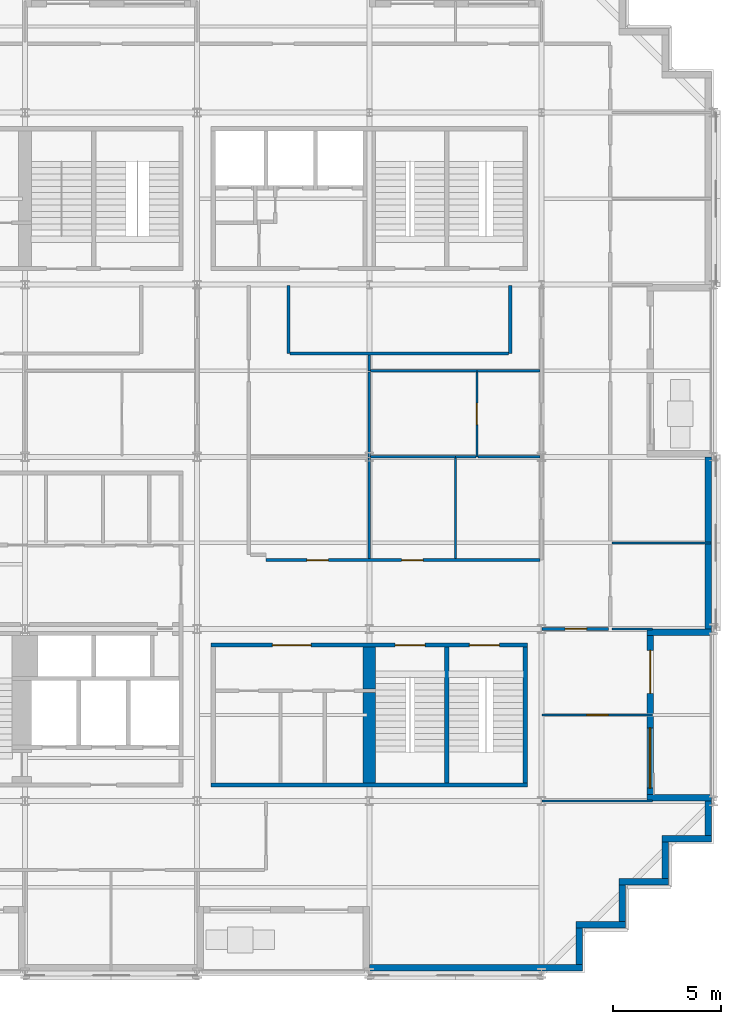
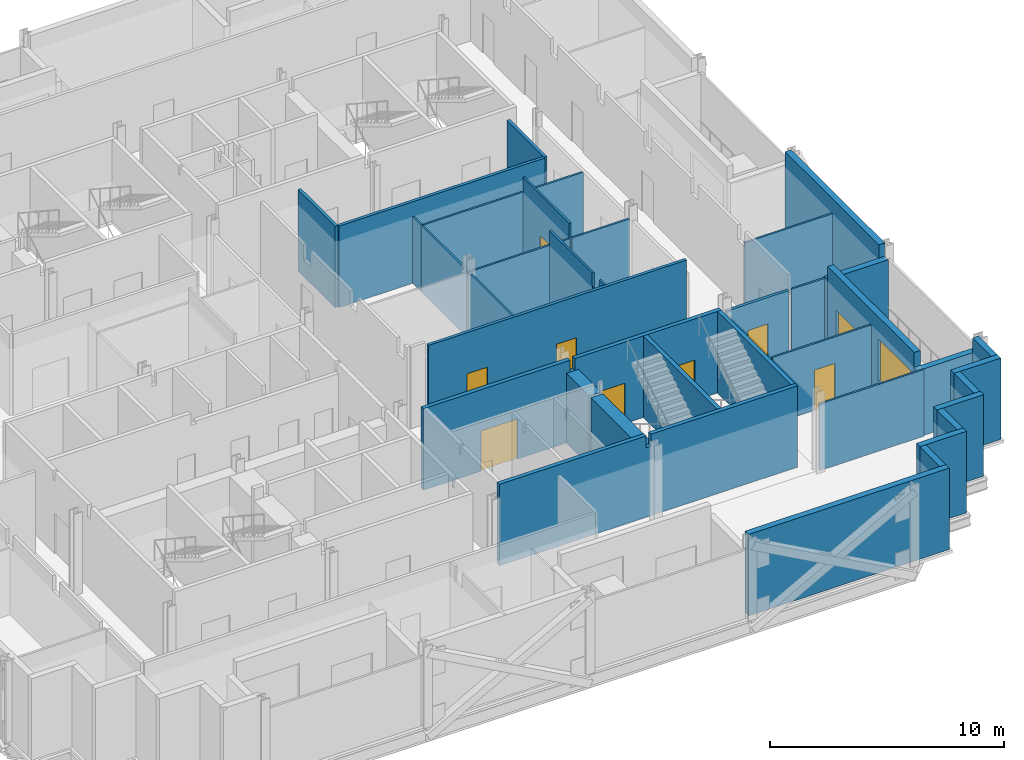
# One storey, part 8 of 15: 37 walls, 9 doors, 1 window, 10 openings.
"""IFC4 building model written with IfcOpenShell, lengths in metres."""

from ifc_helpers import new_model, si_unit, direction, frame, frame_2d, origin, place, context, subcontext, project, spatial, polyline, rectangle, outline, extrude, material, layer, layer_set, type_object, element, fill, save


model = new_model("IFC4")

# Units and contexts
model_context = context("Model", 3, precision=1e-05, world=origin(), true_north=direction((0.0, 1.0)))
body_context = subcontext(model_context, "Body", "Model", "MODEL_VIEW")
ifc_project = project(units=[si_unit("LENGTHUNIT", "METRE"), si_unit("AREAUNIT", "SQUARE_METRE"), si_unit("VOLUMEUNIT", "CUBIC_METRE"), si_unit("PLANEANGLEUNIT", "RADIAN"), si_unit("MASSUNIT", "GRAM", prefix="KILO")], contexts=[model_context])

# Site, building, storey
site_placement = place(None, origin())
site = spatial("IfcSite", under=ifc_project, at=site_placement, CompositionType="ELEMENT")
building_placement = place(site_placement, origin())
building = spatial("IfcBuilding", under=site, at=building_placement, Name="Immortelle Media Tower", CompositionType="ELEMENT")
storey_placement = place(building_placement, frame((0.0, 0.0, 92.0)))
storey = spatial("IfcBuildingStorey", under=building, at=storey_placement, Name="L17", CompositionType="ELEMENT", Elevation=92.0)

# Wall, opening, door
ifc_material_1 = material(Name="Fire-rated gypsum board", Category="gypsum")
ifc_layer_1 = layer(ifc_material_1, 0.012451171875)
ifc_material_2 = material(Name="Steel ASTM A653 SS Gr 50 stud frame with mineral wool", Category="steel")
ifc_layer_2 = layer(ifc_material_2, 0.125)
ifc_layer_3 = layer(ifc_material_1, 0.012451171875)
ifc_layer_set_1 = layer_set([ifc_layer_1, ifc_layer_2, ifc_layer_3], Name="Steel ASTM A653 SS Gr 50 stud frame with mineral wool")
wall_type_1 = type_object("IfcWallType", Name="Corridor wall 150", PredefinedType="PARTITIONING", material=ifc_layer_set_1)
wall_1_placement = place(storey_placement, frame((40.030029296875, 16.0, 0.0), z_axis=(0.0, 0.0, 1.0), x_axis=(1.0, 0.0, 0.0)))
wall_1 = element("IfcWall", 1, at=wall_1_placement, inside=storey, type_object=wall_type_1, Name="Partition L17-011", PredefinedType="PARTITIONING", context=body_context, shape_type="SweptSolid", body=[
    extrude(rectangle(XDim=3.094970703125, YDim=0.14990234375, at=frame_2d((1.54736328125, 0.0))), origin(), (0.0, 0.0, 1.0), 3.469970703125),
])
opening_1_placement = place(wall_1_placement, frame((2.070068359375, 0.0, 0.0), z_axis=(0.0, 0.0, 1.0), x_axis=(-1.0, 0.0, 0.0)))
opening_1 = element("IfcOpeningElement", 2, at=opening_1_placement, cuts=wall_1, Name="Opening N5-F006", PredefinedType="OPENING", context=body_context, shape_type="SweptSolid", body=[
    extrude(rectangle(XDim=1.0, YDim=2.10009765625, at=frame_2d((0.5, 1.050048828125))), frame((0.0, 0.0849609375, 0.0), z_axis=(0.0, -1.0, 0.0), x_axis=(1.0, 0.0, 0.0)), (0.0, 0.0, 1.0), 0.169921875),
])
ifc_material_3 = material(Name="Timber veneered door leaf, galvanised steel frame ASTM A653", Category="steel")
door_type_1 = type_object("IfcDoorType", Name="Room door 1000 x 2100", OperationType="NOTDEFINED", PredefinedType="DOOR", material=ifc_material_3)
door_1_placement = place(opening_1_placement, origin())
door_1 = element("IfcDoor", 3, at=door_1_placement, inside=storey, type_object=door_type_1, Name="Door N5-F006", OperationType="SINGLE_SWING_RIGHT", OverallHeight=2.10009765625, OverallWidth=1.0, PredefinedType="DOOR", context=body_context, shape_type="SweptSolid", body=[
    extrude(rectangle(XDim=1.0, YDim=2.10009765625, at=frame_2d((0.5, 1.050048828125))), frame((0.0, 0.02490234375, 0.0), z_axis=(0.0, -1.0, 0.0), x_axis=(1.0, 0.0, 0.0)), (0.0, 0.0, 1.0), 0.050048828125),
])
fill(opening_1, door_1)

# Wall, openings, doors
wall_2_placement = place(storey_placement, frame((27.199951171875, 19.199951171875, 0.0), z_axis=(0.0, 0.0, 1.0), x_axis=(1.0, 0.0, 0.0)))
wall_2 = element("IfcWall", 4, at=wall_2_placement, inside=storey, type_object=wall_type_1, Name="Partition L17-014", PredefinedType="PARTITIONING", context=body_context, shape_type="SweptSolid", body=[
    extrude(rectangle(XDim=12.72509765625, YDim=0.14990234375, at=frame_2d((6.362548828125, 0.0))), origin(), (0.0, 0.0, 1.0), 4.25),
])
opening_2_placement = place(wall_2_placement, frame((1.89990234375, 0.0, 0.0)))
opening_2 = element("IfcOpeningElement", 5, at=opening_2_placement, cuts=wall_2, Name="Opening N5-F009", PredefinedType="OPENING", context=body_context, shape_type="SweptSolid", body=[
    extrude(rectangle(XDim=1.0, YDim=2.10009765625, at=frame_2d((0.5, 1.050048828125))), frame((0.0, 0.0849609375, 0.0), z_axis=(0.0, -1.0, 0.0), x_axis=(1.0, 0.0, 0.0)), (0.0, 0.0, 1.0), 0.169921875),
])
opening_3_placement = place(wall_2_placement, frame((6.300048828125, 0.0, 0.0)))
opening_3 = element("IfcOpeningElement", 6, at=opening_3_placement, cuts=wall_2, Name="Opening N5-F010", PredefinedType="OPENING", context=body_context, shape_type="SweptSolid", body=[
    extrude(rectangle(XDim=1.0, YDim=2.10009765625, at=frame_2d((0.5, 1.050048828125))), frame((0.0, 0.0849609375, 0.0), z_axis=(0.0, -1.0, 0.0), x_axis=(1.0, 0.0, 0.0)), (0.0, 0.0, 1.0), 0.169921875),
])
door_2_placement = place(opening_2_placement, origin())
door_2 = element("IfcDoor", 7, at=door_2_placement, inside=storey, type_object=door_type_1, Name="Door N5-F009", OperationType="SINGLE_SWING_RIGHT", OverallHeight=2.10009765625, OverallWidth=1.0, PredefinedType="DOOR", context=body_context, shape_type="SweptSolid", body=[
    extrude(rectangle(XDim=1.0, YDim=2.10009765625, at=frame_2d((0.5, 1.050048828125))), frame((0.0, 0.02490234375, 0.0), z_axis=(0.0, -1.0, 0.0), x_axis=(1.0, 0.0, 0.0)), (0.0, 0.0, 1.0), 0.050048828125),
])
fill(opening_2, door_2)
door_3_placement = place(opening_3_placement, origin())
door_3 = element("IfcDoor", 8, at=door_3_placement, inside=storey, type_object=door_type_1, Name="Door N5-F010", OperationType="SINGLE_SWING_LEFT", OverallHeight=2.10009765625, OverallWidth=1.0, PredefinedType="DOOR", context=body_context, shape_type="SweptSolid", body=[
    extrude(rectangle(XDim=1.0, YDim=2.10009765625, at=frame_2d((0.5, 1.050048828125))), frame((0.0, 0.02490234375, 0.0), z_axis=(0.0, -1.0, 0.0), x_axis=(1.0, 0.0, 0.0)), (0.0, 0.0, 1.0), 0.050048828125),
])
fill(opening_3, door_3)

# Walls
wall_3_placement = place(storey_placement, frame((28.324951171875, 28.800048828125, 0.0), z_axis=(0.0, 0.0, 1.0), x_axis=(1.0, 0.0, 0.0)))
element("IfcWall", 9, at=wall_3_placement, inside=storey, type_object=wall_type_1, Name="Partition L17-041", PredefinedType="PARTITIONING", context=body_context, shape_type="SweptSolid", body=[
    extrude(rectangle(XDim=10.150146484375, YDim=0.14990234375, at=frame_2d((5.0751953125, 0.0))), origin(), (0.0, 0.0, 1.0), 4.25),
])
for number, where, z_axis, x_axis, name in (
    (10, (28.25, 28.800048828125, 0.0), (0.0, 0.0, 1.0), (0.0, 1.0, 0.0), "Partition L17-042"),
    (11, (38.550048828125, 28.800048828125, 0.0), (0.0, 0.0, 1.0), (0.0, 1.0, 0.0), "Partition L17-043"),
):
    element("IfcWall", number, at=place(storey_placement, frame(where, z_axis=z_axis, x_axis=x_axis)), inside=storey, type_object=wall_type_1, Name=name, PredefinedType="PARTITIONING", context=body_context, shape_type="SweptSolid", body=[
        extrude(rectangle(XDim=3.169921875, YDim=0.14990234375, at=frame_2d((1.5849609375, 0.0))), origin(), (0.0, 0.0, 1.0), 4.25),
    ])
ifc_material_4 = material(Name="Pale aluminium cladding panel", Category="aluminium")
ifc_layer_4 = layer(ifc_material_4, 0.030029296875)
ifc_layer_5 = layer(ifc_material_2, 0.257568359375)
ifc_material_5 = material(Name="Moisture-resistant gypsum board", Category="gypsum")
ifc_layer_6 = layer(ifc_material_5, 0.012451171875)
ifc_layer_set_2 = layer_set([ifc_layer_4, ifc_layer_5, ifc_layer_6], Name="Steel ASTM A653 SS Gr 50 stud frame with mineral wool")
wall_type_2 = type_object("IfcWallType", Name="Facade wall 300", PredefinedType="SOLIDWALL", material=ifc_layer_set_2)
wall_4_placement = place(storey_placement, frame((32.0, 0.25, 0.0), z_axis=(0.0, 0.0, 1.0), x_axis=(1.0, 0.0, 0.0)))
element("IfcWall", 12, at=wall_4_placement, inside=storey, type_object=wall_type_2, Name="Facade wall L17 S7", PredefinedType="SOLIDWALL", context=body_context, shape_type="SweptSolid", body=[
    extrude(rectangle(XDim=9.89990234375, YDim=0.300048828125, at=frame_2d((4.949951171875, 0.0))), origin(), (0.0, 0.0, 1.0), 4.25),
])
wall_5_placement = place(storey_placement, frame((41.75, 0.39990234375, 0.0), z_axis=(0.0, 0.0, 1.0), x_axis=(0.0, 1.0, 0.0)))
element("IfcWall", 13, at=wall_5_placement, inside=storey, type_object=wall_type_2, Name="Facade wall L17 E8", PredefinedType="SOLIDWALL", context=body_context, shape_type="SweptSolid", body=[
    extrude(rectangle(XDim=1.7001953125, YDim=0.300048828125, at=frame_2d((0.85009765625, 0.0))), origin(), (0.0, 0.0, 1.0), 4.25),
])
wall_6_placement = place(storey_placement, frame((41.60009765625, 2.25, 0.0), z_axis=(0.0, 0.0, 1.0), x_axis=(1.0, 0.0, 0.0)))
element("IfcWall", 14, at=wall_6_placement, inside=storey, type_object=wall_type_2, Name="Facade wall L17 S9", PredefinedType="SOLIDWALL", context=body_context, shape_type="SweptSolid", body=[
    extrude(rectangle(XDim=2.2998046875, YDim=0.300048828125, at=frame_2d((1.14990234375, 0.0))), origin(), (0.0, 0.0, 1.0), 4.25),
])
wall_7_placement = place(storey_placement, frame((43.75, 2.39990234375, 0.0), z_axis=(0.0, 0.0, 1.0), x_axis=(0.0, 1.0, 0.0)))
element("IfcWall", 15, at=wall_7_placement, inside=storey, type_object=wall_type_2, Name="Facade wall L17 E10", PredefinedType="SOLIDWALL", context=body_context, shape_type="SweptSolid", body=[
    extrude(rectangle(XDim=1.7001953125, YDim=0.300048828125, at=frame_2d((0.85009765625, 0.0))), origin(), (0.0, 0.0, 1.0), 4.25),
])
wall_8_placement = place(storey_placement, frame((43.60009765625, 4.25, 0.0), z_axis=(0.0, 0.0, 1.0), x_axis=(1.0, 0.0, 0.0)))
element("IfcWall", 16, at=wall_8_placement, inside=storey, type_object=wall_type_2, Name="Facade wall L17 S11", PredefinedType="SOLIDWALL", context=body_context, shape_type="SweptSolid", body=[
    extrude(rectangle(XDim=2.2998046875, YDim=0.300048828125, at=frame_2d((1.14990234375, 0.0))), origin(), (0.0, 0.0, 1.0), 4.25),
])
wall_9_placement = place(storey_placement, frame((45.75, 4.39990234375, 0.0), z_axis=(0.0, 0.0, 1.0), x_axis=(0.0, 1.0, 0.0)))
element("IfcWall", 17, at=wall_9_placement, inside=storey, type_object=wall_type_2, Name="Facade wall L17 E12", PredefinedType="SOLIDWALL", context=body_context, shape_type="SweptSolid", body=[
    extrude(rectangle(XDim=1.7001953125, YDim=0.300048828125, at=frame_2d((0.85009765625, 0.0))), origin(), (0.0, 0.0, 1.0), 4.25),
])
wall_10_placement = place(storey_placement, frame((45.60009765625, 6.25, 0.0), z_axis=(0.0, 0.0, 1.0), x_axis=(1.0, 0.0, 0.0)))
element("IfcWall", 18, at=wall_10_placement, inside=storey, type_object=wall_type_2, Name="Facade wall L17 S13", PredefinedType="SOLIDWALL", context=body_context, shape_type="SweptSolid", body=[
    extrude(rectangle(XDim=2.2998046875, YDim=0.300048828125, at=frame_2d((1.14990234375, 0.0))), origin(), (0.0, 0.0, 1.0), 4.25),
])
wall_11_placement = place(storey_placement, frame((47.75, 6.39990234375, 0.0), z_axis=(0.0, 0.0, 1.0), x_axis=(0.0, 1.0, 0.0)))
element("IfcWall", 19, at=wall_11_placement, inside=storey, type_object=wall_type_2, Name="Facade wall L17 E14", PredefinedType="SOLIDWALL", context=body_context, shape_type="SweptSolid", body=[
    extrude(rectangle(XDim=1.60009765625, YDim=0.300048828125, at=frame_2d((0.800048828125, 0.0))), origin(), (0.0, 0.0, 1.0), 4.25),
])

# Wall, openings, door, window
wall_12_placement = place(storey_placement, frame((45.050048828125, 8.300048828125, 0.0), z_axis=(0.0, 0.0, 1.0), x_axis=(0.0, 1.0, 0.0)))
wall_12 = element("IfcWall", 20, at=wall_12_placement, inside=storey, type_object=wall_type_2, Name="Loggia wall L17 E14", PredefinedType="SOLIDWALL", context=body_context, shape_type="SweptSolid", body=[
    extrude(rectangle(XDim=7.39990234375, YDim=0.300048828125, at=frame_2d((3.699951171875, 0.0))), origin(), (0.0, 0.0, 1.0), 4.25),
])
opening_4_placement = place(wall_12_placement, frame((0.300048828125, 0.0, 0.89990234375)))
opening_4 = element("IfcOpeningElement", 21, at=opening_4_placement, cuts=wall_12, Name="Opening W1", PredefinedType="OPENING", context=body_context, shape_type="SweptSolid", body=[
    extrude(rectangle(XDim=2.800048828125, YDim=2.199951171875, at=frame_2d((1.39990234375, 1.10009765625))), frame((0.0, 0.159912109375, 0.0), z_axis=(0.0, -1.0, 0.0), x_axis=(1.0, 0.0, 0.0)), (0.0, 0.0, 1.0), 0.320068359375),
])
opening_5_placement = place(wall_12_placement, frame((4.699951171875, 0.0, 0.0)))
opening_5 = element("IfcOpeningElement", 22, at=opening_5_placement, cuts=wall_12, Name="Opening N5-E005", PredefinedType="OPENING", context=body_context, shape_type="SweptSolid", body=[
    extrude(rectangle(XDim=2.0, YDim=2.39990234375, at=frame_2d((1.0, 1.199951171875))), frame((0.0, 0.159912109375, 0.0), z_axis=(0.0, -1.0, 0.0), x_axis=(1.0, 0.0, 0.0)), (0.0, 0.0, 1.0), 0.320068359375),
])
ifc_material_6 = material(Name="Aluminium frame, glazed leaves", Category="aluminium")
door_type_2 = type_object("IfcDoorType", Name="Loggia door 2000 x 2400", OperationType="DOUBLE_DOOR_SINGLE_SWING", PredefinedType="DOOR", material=ifc_material_6)
door_4_placement = place(opening_5_placement, origin())
door_4 = element("IfcDoor", 23, at=door_4_placement, inside=storey, type_object=door_type_2, Name="Door N5-E005", OperationType="DOUBLE_DOOR_SINGLE_SWING", OverallHeight=2.39990234375, OverallWidth=2.0, PredefinedType="DOOR", context=body_context, shape_type="SweptSolid", body=[
    extrude(rectangle(XDim=2.0, YDim=2.39990234375, at=frame_2d((1.0, 1.199951171875))), frame((0.0, 0.02490234375, 0.0), z_axis=(0.0, -1.0, 0.0), x_axis=(1.0, 0.0, 0.0)), (0.0, 0.0, 1.0), 0.050048828125),
])
fill(opening_5, door_4)
ifc_material_7 = material(Name="Aluminium frame", Category="aluminium")
window_type = type_object("IfcWindowType", Name="Window 2800 x 2200", PartitioningType="SINGLE_PANEL", PredefinedType="WINDOW", material=ifc_material_7)
window_placement = place(opening_4_placement, origin())
window = element("IfcWindow", 24, at=window_placement, inside=storey, type_object=window_type, Name="Window L17 L17-R14-B0", OverallHeight=2.199951171875, OverallWidth=2.800048828125, PartitioningType="SINGLE_PANEL", PredefinedType="WINDOW", context=body_context, shape_type="SweptSolid", body=[
    extrude(rectangle(XDim=2.800048828125, YDim=2.199951171875, at=frame_2d((1.39990234375, 1.10009765625))), frame((0.0, 0.030029296875, 0.0), z_axis=(0.0, -1.0, 0.0), x_axis=(1.0, 0.0, 0.0)), (0.0, 0.0, 1.0), 0.06005859375),
])
fill(opening_4, window)

# Walls
wall_13_placement = place(storey_placement, frame((47.89990234375, 8.14990234375, 0.0), z_axis=(0.0, 0.0, 1.0), x_axis=(-1.0, 0.0, 0.0)))
element("IfcWall", 25, at=wall_13_placement, inside=storey, type_object=wall_type_2, Name="Loggia cheek wall L17 E", PredefinedType="SOLIDWALL", context=body_context, shape_type="SweptSolid", body=[
    extrude(rectangle(XDim=3.0, YDim=0.300048828125, at=frame_2d((1.5, 0.0))), origin(), (0.0, 0.0, 1.0), 3.468994140625),
])
wall_14_placement = place(storey_placement, frame((47.89990234375, 15.85009765625, 0.0), z_axis=(0.0, 0.0, 1.0), x_axis=(-1.0, 0.0, 0.0)))
element("IfcWall", 26, at=wall_14_placement, inside=storey, type_object=wall_type_2, Name="Loggia cheek wall L17 E", PredefinedType="SOLIDWALL", context=body_context, shape_type="SweptSolid", body=[
    extrude(rectangle(XDim=3.0, YDim=0.300048828125, at=frame_2d((1.5, 0.0))), origin(), (0.0, 0.0, 1.0), 3.555908203125),
])
wall_15_placement = place(storey_placement, frame((47.75, 16.0, 0.0), z_axis=(0.0, 0.0, 1.0), x_axis=(0.0, 1.0, 0.0)))
element("IfcWall", 27, at=wall_15_placement, inside=storey, type_object=wall_type_2, Name="Facade wall L17 E14", PredefinedType="SOLIDWALL", context=body_context, shape_type="SweptSolid", body=[
    extrude(rectangle(XDim=8.0, YDim=0.300048828125, at=frame_2d((4.0, 0.0))), origin(), (0.0, 0.0, 1.0), 4.25),
])
ifc_material_8 = material(Name="Gypsum board", Category="gypsum")
ifc_layer_7 = layer(ifc_material_8, 0.012451171875)
ifc_layer_8 = layer(ifc_material_2, 0.074951171875)
ifc_layer_9 = layer(ifc_material_8, 0.012451171875)
ifc_layer_set_3 = layer_set([ifc_layer_7, ifc_layer_8, ifc_layer_9], Name="Steel ASTM A653 SS Gr 50 stud frame with mineral wool")
wall_type_3 = type_object("IfcWallType", Name="Partition 100", PredefinedType="PARTITIONING", material=ifc_layer_set_3)
wall_16_placement = place(storey_placement, frame((40.030029296875, 8.0, 0.0), z_axis=(0.0, 0.0, 1.0), x_axis=(1.0, 0.0, 0.0)))
element("IfcWall", 28, at=wall_16_placement, inside=storey, type_object=wall_type_3, Name="Partition L17-008", PredefinedType="PARTITIONING", context=body_context, shape_type="SweptSolid", body=[
    extrude(rectangle(XDim=5.139892578125, YDim=0.10009765625, at=frame_2d((2.56982421875, 0.0))), origin(), (0.0, 0.0, 1.0), 3.469970703125),
])

# Wall, opening, door
wall_17_placement = place(storey_placement, frame((40.030029296875, 12.0, 0.0), z_axis=(0.0, 0.0, 1.0), x_axis=(1.0, 0.0, 0.0)))
wall_17 = element("IfcWall", 29, at=wall_17_placement, inside=storey, type_object=wall_type_3, Name="Partition L17-009", PredefinedType="PARTITIONING", context=body_context, shape_type="SweptSolid", body=[
    extrude(rectangle(XDim=5.139892578125, YDim=0.10009765625, at=frame_2d((2.56982421875, 0.0))), origin(), (0.0, 0.0, 1.0), 3.469970703125),
])
opening_6_placement = place(wall_17_placement, frame((3.070068359375, 0.0, 0.0), z_axis=(0.0, 0.0, 1.0), x_axis=(-1.0, 0.0, 0.0)))
opening_6 = element("IfcOpeningElement", 30, at=opening_6_placement, cuts=wall_17, Name="Opening N5-F007", PredefinedType="OPENING", context=body_context, shape_type="SweptSolid", body=[
    extrude(rectangle(XDim=1.0, YDim=2.10009765625, at=frame_2d((0.5, 1.050048828125))), frame((0.0, 0.06005859375, 0.0), z_axis=(0.0, -1.0, 0.0), x_axis=(1.0, 0.0, 0.0)), (0.0, 0.0, 1.0), 0.1201171875),
])
door_5_placement = place(opening_6_placement, origin())
door_5 = element("IfcDoor", 31, at=door_5_placement, inside=storey, type_object=door_type_1, Name="Door N5-F007", OperationType="SINGLE_SWING_RIGHT", OverallHeight=2.10009765625, OverallWidth=1.0, PredefinedType="DOOR", context=body_context, shape_type="SweptSolid", body=[
    extrude(rectangle(XDim=1.0, YDim=2.10009765625, at=frame_2d((0.5, 1.050048828125))), frame((0.0, 0.02490234375, 0.0), z_axis=(0.0, -1.0, 0.0), x_axis=(1.0, 0.0, 0.0)), (0.0, 0.0, 1.0), 0.050048828125),
])
fill(opening_6, door_5)

# Walls
wall_18_placement = place(storey_placement, frame((43.27490234375, 16.0, 0.0), z_axis=(0.0, 0.0, 1.0), x_axis=(1.0, 0.0, 0.0)))
element("IfcWall", 32, at=wall_18_placement, inside=storey, type_object=wall_type_3, Name="Partition L17-012", PredefinedType="PARTITIONING", context=body_context, shape_type="SweptSolid", body=[
    extrude(rectangle(XDim=1.89501953125, YDim=0.10009765625, at=frame_2d((0.947509765625, 0.0))), origin(), (0.0, 0.0, 1.0), 3.469970703125),
])
wall_19_placement = place(storey_placement, frame((32.0, 19.27490234375, 0.0), z_axis=(0.0, 0.0, 1.0), x_axis=(0.0, 1.0, 0.0)))
element("IfcWall", 33, at=wall_19_placement, inside=storey, type_object=wall_type_3, Name="Partition L17-015", PredefinedType="PARTITIONING", context=body_context, shape_type="SweptSolid", body=[
    extrude(rectangle(XDim=4.675048828125, YDim=0.10009765625, at=frame_2d((2.33740234375, 0.0))), origin(), (0.0, 0.0, 1.0), 3.469970703125),
])
wall_20_placement = place(storey_placement, frame((36.0, 19.27490234375, 0.0), z_axis=(0.0, 0.0, 1.0), x_axis=(0.0, 1.0, 0.0)))
element("IfcWall", 34, at=wall_20_placement, inside=storey, type_object=wall_type_3, Name="Partition L17-016", PredefinedType="PARTITIONING", context=body_context, shape_type="SweptSolid", body=[
    extrude(outline(polyline([(0.0, 0.0), (4.675048828125, 0.0), (4.675048828125, 4.25), (1.02490234375, 4.25), (1.02294921875, 3.469970703125), (0.427001953125, 3.469970703125), (0.425048828125, 4.25), (0.0, 4.25), (0.0, 0.0)])), frame((0.0, 0.050048828125, 0.0), z_axis=(0.0, -1.0, 0.0), x_axis=(1.0, 0.0, 0.0)), (0.0, 0.0, 1.0), 0.10009765625),
])
wall_21_placement = place(storey_placement, frame((43.27490234375, 20.0, 0.0), z_axis=(0.0, 0.0, 1.0), x_axis=(1.0, 0.0, 0.0)))
element("IfcWall", 35, at=wall_21_placement, inside=storey, type_object=wall_type_3, Name="Partition L17-021", PredefinedType="PARTITIONING", context=body_context, shape_type="SweptSolid", body=[
    extrude(rectangle(XDim=4.59521484375, YDim=0.10009765625, at=frame_2d((2.297607421875, 0.0))), origin(), (0.0, 0.0, 1.0), 3.469970703125),
])
for number, where, z_axis, x_axis, name in (
    (36, (32.050048828125, 24.0, 0.0), (0.0, 0.0, 1.0), (1.0, 0.0, 0.0), "Partition L17-024"),
    (37, (32.0, 24.0, 0.0), (0.0, 0.0, 1.0), (0.0, 1.0, 0.0), "Partition L17-025"),
):
    element("IfcWall", number, at=place(storey_placement, frame(where, z_axis=z_axis, x_axis=x_axis)), inside=storey, type_object=wall_type_3, Name=name, PredefinedType="PARTITIONING", context=body_context, shape_type="SweptSolid", body=[
        extrude(rectangle(XDim=3.949951171875, YDim=0.10009765625, at=frame_2d((1.97509765625, 0.0))), origin(), (0.0, 0.0, 1.0), 3.469970703125),
    ])
wall_22_placement = place(storey_placement, frame((36.0, 24.0, 0.0), z_axis=(0.0, 0.0, 1.0), x_axis=(1.0, 0.0, 0.0)))
element("IfcWall", 38, at=wall_22_placement, inside=storey, type_object=wall_type_3, Name="Partition L17-026", PredefinedType="PARTITIONING", context=body_context, shape_type="SweptSolid", body=[
    extrude(rectangle(XDim=0.949951171875, YDim=0.10009765625, at=frame_2d((0.47509765625, 0.0))), origin(), (0.0, 0.0, 1.0), 3.469970703125),
])
wall_23_placement = place(storey_placement, frame((37.050048828125, 24.0, 0.0), z_axis=(0.0, 0.0, 1.0), x_axis=(1.0, 0.0, 0.0)))
element("IfcWall", 39, at=wall_23_placement, inside=storey, type_object=wall_type_3, Name="Partition L17-027", PredefinedType="PARTITIONING", context=body_context, shape_type="SweptSolid", body=[
    extrude(rectangle(XDim=2.875, YDim=0.10009765625, at=frame_2d((1.4375, 0.0))), origin(), (0.0, 0.0, 1.0), 3.469970703125),
])

# Wall, opening, door
wall_24_placement = place(storey_placement, frame((37.0, 24.0, 0.0), z_axis=(0.0, 0.0, 1.0), x_axis=(0.0, 1.0, 0.0)))
wall_24 = element("IfcWall", 40, at=wall_24_placement, inside=storey, type_object=wall_type_3, Name="Partition L17-028", PredefinedType="PARTITIONING", context=body_context, shape_type="SweptSolid", body=[
    extrude(rectangle(XDim=3.949951171875, YDim=0.10009765625, at=frame_2d((1.97509765625, 0.0))), origin(), (0.0, 0.0, 1.0), 4.25),
])
opening_7_placement = place(wall_24_placement, frame((2.5, 0.0, 0.0), z_axis=(0.0, 0.0, 1.0), x_axis=(-1.0, 0.0, 0.0)))
opening_7 = element("IfcOpeningElement", 41, at=opening_7_placement, cuts=wall_24, Name="Opening N5-F015", PredefinedType="OPENING", context=body_context, shape_type="SweptSolid", body=[
    extrude(rectangle(XDim=1.0, YDim=2.10009765625, at=frame_2d((0.5, 1.050048828125))), frame((0.0, 0.06005859375, 0.0), z_axis=(0.0, -1.0, 0.0), x_axis=(1.0, 0.0, 0.0)), (0.0, 0.0, 1.0), 0.1201171875),
])
door_6_placement = place(opening_7_placement, origin())
door_6 = element("IfcDoor", 42, at=door_6_placement, inside=storey, type_object=door_type_1, Name="Door N5-F015", OperationType="SINGLE_SWING_RIGHT", OverallHeight=2.10009765625, OverallWidth=1.0, PredefinedType="DOOR", context=body_context, shape_type="SweptSolid", body=[
    extrude(rectangle(XDim=1.0, YDim=2.10009765625, at=frame_2d((0.5, 1.050048828125))), frame((0.0, 0.02490234375, 0.0), z_axis=(0.0, -1.0, 0.0), x_axis=(1.0, 0.0, 0.0)), (0.0, 0.0, 1.0), 0.050048828125),
])
fill(opening_7, door_6)

# Walls
wall_25_placement = place(storey_placement, frame((32.050048828125, 28.0, 0.0), z_axis=(0.0, 0.0, 1.0), x_axis=(1.0, 0.0, 0.0)))
element("IfcWall", 43, at=wall_25_placement, inside=storey, type_object=wall_type_3, Name="Partition L17-035", PredefinedType="PARTITIONING", context=body_context, shape_type="SweptSolid", body=[
    extrude(rectangle(XDim=4.949951171875, YDim=0.10009765625, at=frame_2d((2.47509765625, 0.0))), origin(), (0.0, 0.0, 1.0), 3.469970703125),
])
wall_26_placement = place(storey_placement, frame((32.0, 28.0, 0.0), z_axis=(0.0, 0.0, 1.0), x_axis=(0.0, 1.0, 0.0)))
element("IfcWall", 44, at=wall_26_placement, inside=storey, type_object=wall_type_3, Name="Partition L17-036", PredefinedType="PARTITIONING", context=body_context, shape_type="SweptSolid", body=[
    extrude(rectangle(XDim=0.72509765625, YDim=0.10009765625, at=frame_2d((0.362548828125, 0.0))), origin(), (0.0, 0.0, 1.0), 3.469970703125),
])
wall_27_placement = place(storey_placement, frame((37.0, 28.0, 0.0), z_axis=(0.0, 0.0, 1.0), x_axis=(1.0, 0.0, 0.0)))
element("IfcWall", 45, at=wall_27_placement, inside=storey, type_object=wall_type_3, Name="Partition L17-037", PredefinedType="PARTITIONING", context=body_context, shape_type="SweptSolid", body=[
    extrude(rectangle(XDim=2.925048828125, YDim=0.10009765625, at=frame_2d((1.46240234375, 0.0))), origin(), (0.0, 0.0, 1.0), 3.469970703125),
])
ifc_material_9 = material(Name="Concrete C60", Category="concrete")
ifc_layer_10 = layer(ifc_material_9, 0.199951171875)
ifc_layer_set_4 = layer_set([ifc_layer_10], Name="Concrete C60")
wall_type_4 = type_object("IfcWallType", Name="Stair shaft wall 200", PredefinedType="PARTITIONING", material=ifc_layer_set_4)
wall_28_placement = place(storey_placement, frame((24.64990234375, 8.75, 0.0), z_axis=(0.0, 0.0, 1.0), x_axis=(1.0, 0.0, 0.0)))
element("IfcWall", 46, at=wall_28_placement, inside=storey, type_object=wall_type_4, Name="Stair shaft wall SE", PredefinedType="PARTITIONING", context=body_context, shape_type="SweptSolid", body=[
    extrude(outline(polyline([(0.0, 0.0), (14.7001953125, 0.0), (14.699951171875, 4.25), (7.469482421875, 4.25), (7.468505859375, 3.632080078125), (7.2314453125, 3.632080078125), (7.23046875, 4.25), (0.0, 4.25), (0.0, 0.0)])), frame((0.0, 0.10009765625, 0.0), z_axis=(0.0, -1.0, 0.0), x_axis=(1.0, 0.0, 0.0)), (0.0, 0.0, 1.0), 0.199951171875),
])

# Wall, openings, doors
wall_29_placement = place(storey_placement, frame((24.64990234375, 15.25, 0.0), z_axis=(0.0, 0.0, 1.0), x_axis=(1.0, 0.0, 0.0)))
wall_29 = element("IfcWall", 47, at=wall_29_placement, inside=storey, type_object=wall_type_4, Name="Stair shaft wall SE", PredefinedType="PARTITIONING", context=body_context, shape_type="SweptSolid", body=[
    extrude(outline(polyline([(0.0, 0.0), (14.7001953125, 0.0), (14.699951171875, 4.25), (7.469482421875, 4.25), (7.468505859375, 3.632080078125), (7.2314453125, 3.632080078125), (7.23046875, 4.25), (0.0, 4.25), (0.0, 0.0)])), frame((0.0, 0.10009765625, 0.0), z_axis=(0.0, -1.0, 0.0), x_axis=(1.0, 0.0, 0.0)), (0.0, 0.0, 1.0), 0.199951171875),
])
opening_8_placement = place(wall_29_placement, frame((2.85009765625, 0.0, 0.0)))
opening_8 = element("IfcOpeningElement", 48, at=opening_8_placement, cuts=wall_29, Name="Opening N5-K019", PredefinedType="OPENING", context=body_context, shape_type="SweptSolid", body=[
    extrude(rectangle(XDim=1.800048828125, YDim=2.10009765625, at=frame_2d((0.89990234375, 1.050048828125))), frame((0.0, 0.10986328125, 0.0), z_axis=(0.0, -1.0, 0.0), x_axis=(1.0, 0.0, 0.0)), (0.0, 0.0, 1.0), 0.219970703125),
])
opening_9_placement = place(wall_29_placement, frame((9.949951171875, 0.0, 0.0), z_axis=(0.0, 0.0, 1.0), x_axis=(-1.0, 0.0, 0.0)))
opening_9 = element("IfcOpeningElement", 49, at=opening_9_placement, cuts=wall_29, Name="Opening N5-K022", PredefinedType="OPENING", context=body_context, shape_type="SweptSolid", body=[
    extrude(rectangle(XDim=1.39990234375, YDim=2.10009765625, at=frame_2d((0.699951171875, 1.050048828125))), frame((0.0, 0.10986328125, 0.0), z_axis=(0.0, -1.0, 0.0), x_axis=(1.0, 0.0, 0.0)), (0.0, 0.0, 1.0), 0.219970703125),
])
opening_10_placement = place(wall_29_placement, frame((13.39990234375, 0.0, 0.0), z_axis=(0.0, 0.0, 1.0), x_axis=(-1.0, 0.0, 0.0)))
opening_10 = element("IfcOpeningElement", 50, at=opening_10_placement, cuts=wall_29, Name="Opening N5-K023", PredefinedType="OPENING", context=body_context, shape_type="SweptSolid", body=[
    extrude(rectangle(XDim=1.39990234375, YDim=2.10009765625, at=frame_2d((0.699951171875, 1.050048828125))), frame((0.0, 0.10986328125, 0.0), z_axis=(0.0, -1.0, 0.0), x_axis=(1.0, 0.0, 0.0)), (0.0, 0.0, 1.0), 0.219970703125),
])
ifc_material_10 = material(Name="Galvanised steel door leaf and frame ASTM A653", Category="steel")
door_type_3 = type_object("IfcDoorType", Name="Lift lobby door 1800 x 2100", OperationType="DOUBLE_DOOR_SINGLE_SWING", PredefinedType="NOTDEFINED", material=ifc_material_10)
door_7_placement = place(opening_8_placement, origin())
door_7 = element("IfcDoor", 51, at=door_7_placement, inside=storey, type_object=door_type_3, Name="Lift lobby N5-K019", OperationType="DOUBLE_DOOR_SINGLE_SWING", OverallHeight=2.10009765625, OverallWidth=1.800048828125, PredefinedType="NOTDEFINED", context=body_context, shape_type="SweptSolid", body=[
    extrude(rectangle(XDim=1.800048828125, YDim=2.10009765625, at=frame_2d((0.89990234375, 1.050048828125))), frame((0.0, 0.02490234375, 0.0), z_axis=(0.0, -1.0, 0.0), x_axis=(1.0, 0.0, 0.0)), (0.0, 0.0, 1.0), 0.050048828125),
])
fill(opening_8, door_7)
door_type_4 = type_object("IfcDoorType", Name="Stair door 1400 x 2100", OperationType="DOUBLE_DOOR_SINGLE_SWING", PredefinedType="NOTDEFINED", material=ifc_material_10)
door_8_placement = place(opening_9_placement, origin())
door_8 = element("IfcDoor", 52, at=door_8_placement, inside=storey, type_object=door_type_4, Name="Stair N5-K022", OperationType="DOUBLE_DOOR_SINGLE_SWING", OverallHeight=2.10009765625, OverallWidth=1.39990234375, PredefinedType="NOTDEFINED", context=body_context, shape_type="SweptSolid", body=[
    extrude(rectangle(XDim=1.39990234375, YDim=2.10009765625, at=frame_2d((0.699951171875, 1.050048828125))), frame((0.0, 0.02490234375, 0.0), z_axis=(0.0, -1.0, 0.0), x_axis=(1.0, 0.0, 0.0)), (0.0, 0.0, 1.0), 0.050048828125),
])
fill(opening_9, door_8)
door_9_placement = place(opening_10_placement, origin())
door_9 = element("IfcDoor", 53, at=door_9_placement, inside=storey, type_object=door_type_4, Name="Stair N5-K023", OperationType="DOUBLE_DOOR_SINGLE_SWING", OverallHeight=2.10009765625, OverallWidth=1.39990234375, PredefinedType="NOTDEFINED", context=body_context, shape_type="SweptSolid", body=[
    extrude(rectangle(XDim=1.39990234375, YDim=2.10009765625, at=frame_2d((0.699951171875, 1.050048828125))), frame((0.0, 0.02490234375, 0.0), z_axis=(0.0, -1.0, 0.0), x_axis=(1.0, 0.0, 0.0)), (0.0, 0.0, 1.0), 0.050048828125),
])
fill(opening_10, door_9)

# Walls
for number, where, z_axis, x_axis, name in (
    (54, (35.60009765625, 8.85009765625, 0.0), (0.0, 0.0, 1.0), (0.0, 1.0, 0.0), "Stair shaft wall SE"),
    (55, (39.25, 8.85009765625, 0.0), (0.0, 0.0, 1.0), (0.0, 1.0, 0.0), "Stair shaft wall SE"),
):
    element("IfcWall", number, at=place(storey_placement, frame(where, z_axis=z_axis, x_axis=x_axis)), inside=storey, type_object=wall_type_4, Name=name, PredefinedType="PARTITIONING", context=body_context, shape_type="SweptSolid", body=[
        extrude(rectangle(XDim=6.2998046875, YDim=0.199951171875, at=frame_2d((3.14990234375, 0.0))), origin(), (0.0, 0.0, 1.0), 4.25),
    ])
ifc_layer_11 = layer(ifc_material_9, 0.60009765625)
ifc_layer_set_5 = layer_set([ifc_layer_11], Name="Concrete C60")
wall_type_5 = type_object("IfcWallType", Name="Stair shaft wall 600", PredefinedType="PARTITIONING", material=ifc_layer_set_5)
wall_30_placement = place(storey_placement, frame((32.0, 8.85009765625, 0.0), z_axis=(0.0, 0.0, 1.0), x_axis=(0.0, 1.0, 0.0)))
element("IfcWall", 56, at=wall_30_placement, inside=storey, type_object=wall_type_5, Name="Stair shaft wall SE", PredefinedType="PARTITIONING", context=body_context, shape_type="SweptSolid", body=[
    extrude(rectangle(XDim=4.199951171875, YDim=0.60009765625, at=frame_2d((2.10009765625, 0.0))), origin(), (0.0, 0.0, 1.0), 3.632080078125),
])
wall_31_placement = place(storey_placement, frame((32.0, 13.199951171875, 0.0), z_axis=(0.0, 0.0, 1.0), x_axis=(0.0, 1.0, 0.0)))
element("IfcWall", 57, at=wall_31_placement, inside=storey, type_object=wall_type_5, Name="Stair shaft wall SE", PredefinedType="PARTITIONING", context=body_context, shape_type="SweptSolid", body=[
    extrude(rectangle(XDim=1.949951171875, YDim=0.60009765625, at=frame_2d((0.97509765625, 0.0))), origin(), (0.0, 0.0, 1.0), 3.632080078125),
])

save(model, "model.ifc")
